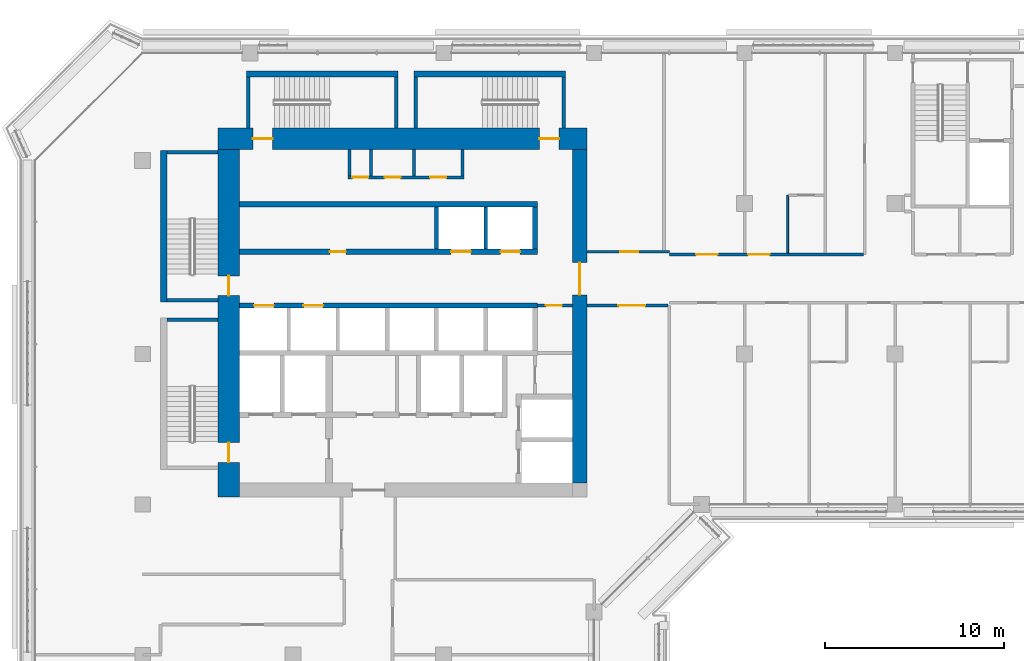
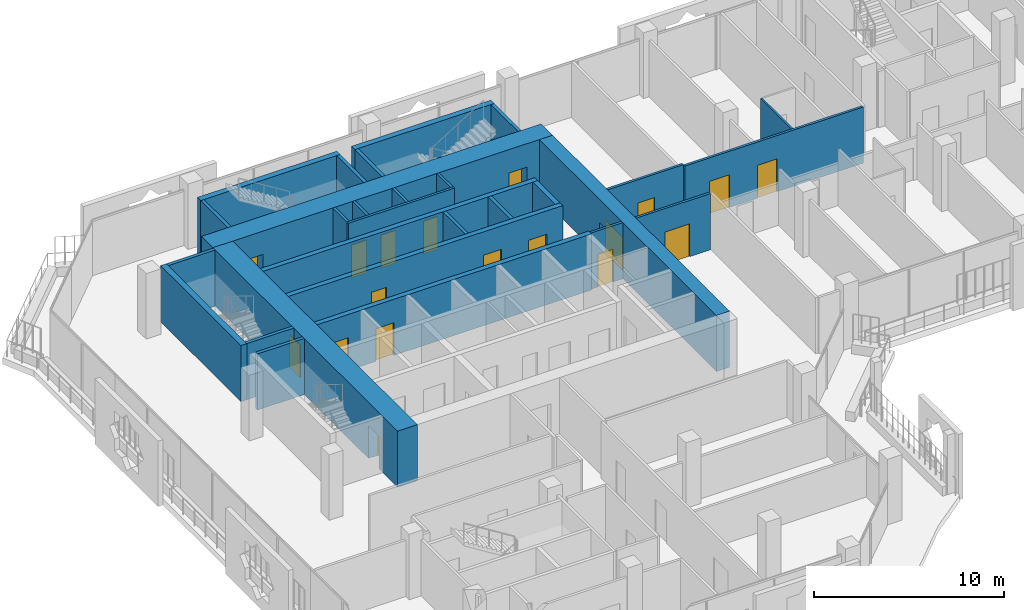
# One storey, part 11 of 21: 29 walls, 18 doors, 18 openings.
"""IFC4 building model written with IfcOpenShell, lengths in metres."""

from ifc_helpers import new_model, si_unit, direction, frame, frame_2d, origin, place, context, subcontext, project, spatial, rectangle, extrude, material, layer, layer_set, type_object, element, fill, save


model = new_model("IFC4")

# Units and contexts
model_context = context("Model", 3, precision=1e-05, world=origin(), true_north=direction((0.0, 1.0)))
body_context = subcontext(model_context, "Body", "Model", "MODEL_VIEW")
ifc_project = project(units=[si_unit("LENGTHUNIT", "METRE"), si_unit("AREAUNIT", "SQUARE_METRE"), si_unit("VOLUMEUNIT", "CUBIC_METRE"), si_unit("PLANEANGLEUNIT", "RADIAN"), si_unit("MASSUNIT", "GRAM", prefix="KILO")], contexts=[model_context])

# Site, building, storey
site_placement = place(None, origin())
site = spatial("IfcSite", under=ifc_project, at=site_placement, CompositionType="ELEMENT")
building_placement = place(site_placement, origin())
building = spatial("IfcBuilding", under=site, at=building_placement, Name="Kawkab Arch Medical Tower", CompositionType="ELEMENT")
storey_placement = place(building_placement, frame((0.0, 0.0, 264.199951171875)))
storey = spatial("IfcBuildingStorey", under=building, at=storey_placement, Name="L61", CompositionType="ELEMENT", Elevation=264.199951171875)

# Wall, openings, doors
ifc_material_1 = material(Name="Concrete C50/60", Category="concrete")
ifc_layer_1 = layer(ifc_material_1, 1.199951171875)
ifc_layer_set_1 = layer_set([ifc_layer_1], Name="Concrete C50/60")
wall_type_1 = type_object("IfcWallType", Name="Core ring wall 1200 C50/60", PredefinedType="SHEAR", material=ifc_layer_set_1)
wall_1_placement = place(storey_placement, frame((4.199951171875, -4.800048828125, 0.0), z_axis=(0.0, 0.0, 1.0), x_axis=(1.0, 0.0, 0.0)))
wall_1 = element("IfcWall", 1, at=wall_1_placement, inside=storey, type_object=wall_type_1, Name="L61 core wall", PredefinedType="SHEAR", context=body_context, shape_type="SweptSolid", body=[
    extrude(rectangle(XDim=20.60009765625, YDim=1.199951171875, at=frame_2d((10.300048828125, 0.0))), origin(), (0.0, 0.0, 1.0), 3.60009765625),
])
opening_1_placement = place(wall_1_placement, frame((1.949951171875, 0.0, 0.0)))
opening_1 = element("IfcOpeningElement", 2, at=opening_1_placement, cuts=wall_1, Name="Opening SD", PredefinedType="OPENING", context=body_context, shape_type="SweptSolid", body=[
    extrude(rectangle(XDim=1.10009765625, YDim=2.10009765625, at=frame_2d((0.550048828125, 1.050048828125))), frame((0.0, 0.60986328125, 0.0), z_axis=(0.0, -1.0, 0.0), x_axis=(1.0, 0.0, 0.0)), (0.0, 0.0, 1.0), 1.219970703125),
])
opening_2_placement = place(wall_1_placement, frame((17.949951171875, 0.0, 0.0)))
opening_2 = element("IfcOpeningElement", 3, at=opening_2_placement, cuts=wall_1, Name="Opening SD", PredefinedType="OPENING", context=body_context, shape_type="SweptSolid", body=[
    extrude(rectangle(XDim=1.10009765625, YDim=2.10009765625, at=frame_2d((0.550048828125, 1.050048828125))), frame((0.0, 0.60986328125, 0.0), z_axis=(0.0, -1.0, 0.0), x_axis=(1.0, 0.0, 0.0)), (0.0, 0.0, 1.0), 1.219970703125),
])
ifc_material_2 = material(Name="Hollow metal fire door leaf")
door_type_1 = type_object("IfcDoorType", Name="Exit stair door 1100", OperationType="SINGLE_SWING_LEFT", PredefinedType="DOOR", material=ifc_material_2)
door_1_placement = place(opening_1_placement, origin())
door_1 = element("IfcDoor", 4, at=door_1_placement, inside=storey, type_object=door_type_1, Name="L61 Exit stair ST3 door", OperationType="SINGLE_SWING_LEFT", OverallHeight=2.10009765625, OverallWidth=1.10009765625, PredefinedType="DOOR", context=body_context, shape_type="SweptSolid", body=[
    extrude(rectangle(XDim=1.10009765625, YDim=2.10009765625, at=frame_2d((0.550048828125, 1.050048828125))), frame((0.0, 0.02490234375, 0.0), z_axis=(0.0, -1.0, 0.0), x_axis=(1.0, 0.0, 0.0)), (0.0, 0.0, 1.0), 0.050048828125),
])
fill(opening_1, door_1)
door_2_placement = place(opening_2_placement, origin())
door_2 = element("IfcDoor", 5, at=door_2_placement, inside=storey, type_object=door_type_1, Name="L61 Exit stair ST4 door", OperationType="SINGLE_SWING_LEFT", OverallHeight=2.10009765625, OverallWidth=1.10009765625, PredefinedType="DOOR", context=body_context, shape_type="SweptSolid", body=[
    extrude(rectangle(XDim=1.10009765625, YDim=2.10009765625, at=frame_2d((0.550048828125, 1.050048828125))), frame((0.0, 0.02490234375, 0.0), z_axis=(0.0, -1.0, 0.0), x_axis=(1.0, 0.0, 0.0)), (0.0, 0.0, 1.0), 0.050048828125),
])
fill(opening_2, door_2)

wall_2_placement = place(storey_placement, frame((4.800048828125, -24.800048828125, 0.0), z_axis=(0.0, 0.0, 1.0), x_axis=(0.0, 1.0, 0.0)))
wall_2 = element("IfcWall", 6, at=wall_2_placement, inside=storey, type_object=wall_type_1, Name="L61 core wall", PredefinedType="SHEAR", context=body_context, shape_type="SweptSolid", body=[
    extrude(rectangle(XDim=19.400146484375, YDim=1.199951171875, at=frame_2d((9.7001953125, 0.0))), origin(), (0.0, 0.0, 1.0), 3.60009765625),
])
opening_3_placement = place(wall_2_placement, frame((11.25, 0.0, 0.0)))
opening_3 = element("IfcOpeningElement", 7, at=opening_3_placement, cuts=wall_2, Name="Opening SD", PredefinedType="OPENING", context=body_context, shape_type="SweptSolid", body=[
    extrude(rectangle(XDim=1.10009765625, YDim=2.10009765625, at=frame_2d((0.550048828125, 1.050048828125))), frame((0.0, 0.60986328125, 0.0), z_axis=(0.0, -1.0, 0.0), x_axis=(1.0, 0.0, 0.0)), (0.0, 0.0, 1.0), 1.219970703125),
])
opening_4_placement = place(wall_2_placement, frame((1.949951171875, 0.0, 0.0)))
opening_4 = element("IfcOpeningElement", 8, at=opening_4_placement, cuts=wall_2, Name="Opening SD", PredefinedType="OPENING", context=body_context, shape_type="SweptSolid", body=[
    extrude(rectangle(XDim=1.10009765625, YDim=2.10009765625, at=frame_2d((0.550048828125, 1.050048828125))), frame((0.0, 0.60986328125, 0.0), z_axis=(0.0, -1.0, 0.0), x_axis=(1.0, 0.0, 0.0)), (0.0, 0.0, 1.0), 1.219970703125),
])
door_3_placement = place(opening_3_placement, origin())
door_3 = element("IfcDoor", 9, at=door_3_placement, inside=storey, type_object=door_type_1, Name="L61 Exit stair ST1 door", OperationType="SINGLE_SWING_LEFT", OverallHeight=2.10009765625, OverallWidth=1.10009765625, PredefinedType="DOOR", context=body_context, shape_type="SweptSolid", body=[
    extrude(rectangle(XDim=1.10009765625, YDim=2.10009765625, at=frame_2d((0.550048828125, 1.050048828125))), frame((0.0, 0.02490234375, 0.0), z_axis=(0.0, -1.0, 0.0), x_axis=(1.0, 0.0, 0.0)), (0.0, 0.0, 1.0), 0.050048828125),
])
fill(opening_3, door_3)
door_4_placement = place(opening_4_placement, origin())
door_4 = element("IfcDoor", 10, at=door_4_placement, inside=storey, type_object=door_type_1, Name="L61 Exit stair ST2 door", OperationType="SINGLE_SWING_LEFT", OverallHeight=2.10009765625, OverallWidth=1.10009765625, PredefinedType="DOOR", context=body_context, shape_type="SweptSolid", body=[
    extrude(rectangle(XDim=1.10009765625, YDim=2.10009765625, at=frame_2d((0.550048828125, 1.050048828125))), frame((0.0, 0.02490234375, 0.0), z_axis=(0.0, -1.0, 0.0), x_axis=(1.0, 0.0, 0.0)), (0.0, 0.0, 1.0), 0.050048828125),
])
fill(opening_4, door_4)

# Wall, opening, door
ifc_material_3 = material(Name="Concrete C50/60", Category="concrete")
ifc_layer_2 = layer(ifc_material_3, 0.800048828125)
ifc_layer_set_2 = layer_set([ifc_layer_2], Name="Concrete C50/60")
wall_type_2 = type_object("IfcWallType", Name="Core ring wall 800 C50/60", PredefinedType="SHEAR", material=ifc_layer_set_2)
wall_3_placement = place(storey_placement, frame((24.39990234375, -24.0, 0.0), z_axis=(0.0, 0.0, 1.0), x_axis=(0.0, 1.0, 0.0)))
wall_3 = element("IfcWall", 11, at=wall_3_placement, inside=storey, type_object=wall_type_2, Name="L61 core wall", PredefinedType="SHEAR", context=body_context, shape_type="SweptSolid", body=[
    extrude(rectangle(XDim=18.60009765625, YDim=0.800048828125, at=frame_2d((9.300048828125, 0.0))), origin(), (0.0, 0.0, 1.0), 3.60009765625),
])
opening_5_placement = place(wall_3_placement, frame((10.5, 0.0, 0.0)))
opening_5 = element("IfcOpeningElement", 12, at=opening_5_placement, cuts=wall_3, Name="Opening PD", PredefinedType="OPENING", context=body_context, shape_type="SweptSolid", body=[
    extrude(rectangle(XDim=1.800048828125, YDim=2.10009765625, at=frame_2d((0.89990234375, 1.050048828125))), frame((0.0, 0.409912109375, 0.0), z_axis=(0.0, -1.0, 0.0), x_axis=(1.0, 0.0, 0.0)), (0.0, 0.0, 1.0), 0.820068359375),
])
ifc_material_4 = material(Name="Hollow metal fire door leaf")
door_type_2 = type_object("IfcDoorType", Name="Core entrance doors 1800", OperationType="DOUBLE_DOOR_SINGLE_SWING", PredefinedType="DOOR", material=ifc_material_4)
door_5_placement = place(opening_5_placement, origin())
door_5 = element("IfcDoor", 13, at=door_5_placement, inside=storey, type_object=door_type_2, Name="L61 East entrance doors", OperationType="DOUBLE_DOOR_SINGLE_SWING", OverallHeight=2.10009765625, OverallWidth=1.800048828125, PredefinedType="DOOR", context=body_context, shape_type="SweptSolid", body=[
    extrude(rectangle(XDim=1.800048828125, YDim=2.10009765625, at=frame_2d((0.89990234375, 1.050048828125))), frame((0.0, 0.02490234375, 0.0), z_axis=(0.0, -1.0, 0.0), x_axis=(1.0, 0.0, 0.0)), (0.0, 0.0, 1.0), 0.050048828125),
])
fill(opening_5, door_5)

ifc_material_5 = material(Name="Gypsum board on steel studs", Category="steel")
ifc_layer_3 = layer(ifc_material_5, 0.14990234375)
ifc_layer_set_3 = layer_set([ifc_layer_3], Name="Gypsum board on steel studs")
wall_type_3 = type_object("IfcWallType", Name="Core room partition 150", PredefinedType="PARTITIONING", material=ifc_layer_set_3)
wall_4_placement = place(storey_placement, frame((22.050048828125, -14.10009765625, 0.0), z_axis=(0.0, 0.0, 1.0), x_axis=(1.0, 0.0, 0.0)))
wall_4 = element("IfcWall", 14, at=wall_4_placement, inside=storey, type_object=wall_type_3, Name="L61 core room partition", PredefinedType="PARTITIONING", context=body_context, shape_type="SweptSolid", body=[
    extrude(rectangle(XDim=1.949951171875, YDim=0.14990234375, at=frame_2d((0.97509765625, 0.0))), origin(), (0.0, 0.0, 1.0), 3.60009765625),
])
opening_6_placement = place(wall_4_placement, frame((0.449951171875, 0.0, 0.0)))
opening_6 = element("IfcOpeningElement", 15, at=opening_6_placement, cuts=wall_4, Name="Opening RD", PredefinedType="OPENING", context=body_context, shape_type="SweptSolid", body=[
    extrude(rectangle(XDim=0.89990234375, YDim=2.10009765625, at=frame_2d((0.449951171875, 1.050048828125))), frame((0.0, 0.0849609375, 0.0), z_axis=(0.0, -1.0, 0.0), x_axis=(1.0, 0.0, 0.0)), (0.0, 0.0, 1.0), 0.169921875),
])
ifc_material_6 = material(Name="Hollow metal fire door leaf")
door_type_3 = type_object("IfcDoorType", Name="Core room door 900", OperationType="SINGLE_SWING_LEFT", PredefinedType="DOOR", material=ifc_material_6)
door_6_placement = place(opening_6_placement, origin())
door_6 = element("IfcDoor", 16, at=door_6_placement, inside=storey, type_object=door_type_3, Name="L61 Comms room door", OperationType="SINGLE_SWING_LEFT", OverallHeight=2.10009765625, OverallWidth=0.89990234375, PredefinedType="DOOR", context=body_context, shape_type="SweptSolid", body=[
    extrude(rectangle(XDim=0.89990234375, YDim=2.10009765625, at=frame_2d((0.449951171875, 1.050048828125))), frame((0.0, 0.02490234375, 0.0), z_axis=(0.0, -1.0, 0.0), x_axis=(1.0, 0.0, 0.0)), (0.0, 0.0, 1.0), 0.050048828125),
])
fill(opening_6, door_6)

# Wall, openings, doors
wall_5_placement = place(storey_placement, frame((11.47509765625, -6.949951171875, 0.0), z_axis=(0.0, 0.0, 1.0), x_axis=(1.0, 0.0, 0.0)))
wall_5 = element("IfcWall", 17, at=wall_5_placement, inside=storey, type_object=wall_type_3, Name="L61 core room partition", PredefinedType="PARTITIONING", context=body_context, shape_type="SweptSolid", body=[
    extrude(rectangle(XDim=6.449951171875, YDim=0.14990234375, at=frame_2d((3.22509765625, 0.0))), origin(), (0.0, 0.0, 1.0), 3.60009765625),
])
opening_7_placement = place(wall_5_placement, frame((0.22509765625, 0.0, 0.0)))
opening_7 = element("IfcOpeningElement", 18, at=opening_7_placement, cuts=wall_5, Name="Opening RD", PredefinedType="OPENING", context=body_context, shape_type="SweptSolid", body=[
    extrude(rectangle(XDim=0.89990234375, YDim=2.10009765625, at=frame_2d((0.449951171875, 1.050048828125))), frame((0.0, 0.0849609375, 0.0), z_axis=(0.0, -1.0, 0.0), x_axis=(1.0, 0.0, 0.0)), (0.0, 0.0, 1.0), 0.169921875),
])
opening_8_placement = place(wall_5_placement, frame((2.02490234375, 0.0, 0.0)))
opening_8 = element("IfcOpeningElement", 19, at=opening_8_placement, cuts=wall_5, Name="Opening RD", PredefinedType="OPENING", context=body_context, shape_type="SweptSolid", body=[
    extrude(rectangle(XDim=0.89990234375, YDim=2.10009765625, at=frame_2d((0.449951171875, 1.050048828125))), frame((0.0, 0.0849609375, 0.0), z_axis=(0.0, -1.0, 0.0), x_axis=(1.0, 0.0, 0.0)), (0.0, 0.0, 1.0), 0.169921875),
])
opening_9_placement = place(wall_5_placement, frame((4.574951171875, 0.0, 0.0)))
opening_9 = element("IfcOpeningElement", 20, at=opening_9_placement, cuts=wall_5, Name="Opening RD", PredefinedType="OPENING", context=body_context, shape_type="SweptSolid", body=[
    extrude(rectangle(XDim=0.89990234375, YDim=2.10009765625, at=frame_2d((0.449951171875, 1.050048828125))), frame((0.0, 0.0849609375, 0.0), z_axis=(0.0, -1.0, 0.0), x_axis=(1.0, 0.0, 0.0)), (0.0, 0.0, 1.0), 0.169921875),
])
door_7_placement = place(opening_7_placement, origin())
door_7 = element("IfcDoor", 21, at=door_7_placement, inside=storey, type_object=door_type_3, Name="L61 Electrical riser room door", OperationType="SINGLE_SWING_LEFT", OverallHeight=2.10009765625, OverallWidth=0.89990234375, PredefinedType="DOOR", context=body_context, shape_type="SweptSolid", body=[
    extrude(rectangle(XDim=0.89990234375, YDim=2.10009765625, at=frame_2d((0.449951171875, 1.050048828125))), frame((0.0, 0.02490234375, 0.0), z_axis=(0.0, -1.0, 0.0), x_axis=(1.0, 0.0, 0.0)), (0.0, 0.0, 1.0), 0.050048828125),
])
fill(opening_7, door_7)
door_8_placement = place(opening_8_placement, origin())
door_8 = element("IfcDoor", 22, at=door_8_placement, inside=storey, type_object=door_type_3, Name="L61 Linen store door", OperationType="SINGLE_SWING_LEFT", OverallHeight=2.10009765625, OverallWidth=0.89990234375, PredefinedType="DOOR", context=body_context, shape_type="SweptSolid", body=[
    extrude(rectangle(XDim=0.89990234375, YDim=2.10009765625, at=frame_2d((0.449951171875, 1.050048828125))), frame((0.0, 0.02490234375, 0.0), z_axis=(0.0, -1.0, 0.0), x_axis=(1.0, 0.0, 0.0)), (0.0, 0.0, 1.0), 0.050048828125),
])
fill(opening_8, door_8)
door_9_placement = place(opening_9_placement, origin())
door_9 = element("IfcDoor", 23, at=door_9_placement, inside=storey, type_object=door_type_3, Name="L61 Clean utility room door", OperationType="SINGLE_SWING_LEFT", OverallHeight=2.10009765625, OverallWidth=0.89990234375, PredefinedType="DOOR", context=body_context, shape_type="SweptSolid", body=[
    extrude(rectangle(XDim=0.89990234375, YDim=2.10009765625, at=frame_2d((0.449951171875, 1.050048828125))), frame((0.0, 0.02490234375, 0.0), z_axis=(0.0, -1.0, 0.0), x_axis=(1.0, 0.0, 0.0)), (0.0, 0.0, 1.0), 0.050048828125),
])
fill(opening_9, door_9)

# Walls
for number, where, z_axis, x_axis, name in (
    (24, (11.550048828125, -6.875, 0.0), (0.0, 0.0, 1.0), (0.0, 1.0, 0.0), "L61 core room partition"),
    (25, (12.75, -6.875, 0.0), (0.0, 0.0, 1.0), (0.0, 1.0, 0.0), "L61 core room partition"),
    (26, (15.14990234375, -6.875, 0.0), (0.0, 0.0, 1.0), (0.0, 1.0, 0.0), "L61 core room partition"),
    (27, (17.85009765625, -6.875, 0.0), (0.0, 0.0, 1.0), (0.0, 1.0, 0.0), "L61 core room partition"),
):
    element("IfcWall", number, at=place(storey_placement, frame(where, z_axis=z_axis, x_axis=x_axis)), inside=storey, type_object=wall_type_3, Name=name, PredefinedType="PARTITIONING", context=body_context, shape_type="SweptSolid", body=[
        extrude(rectangle(XDim=1.47509765625, YDim=0.14990234375, at=frame_2d((0.737548828125, 0.0))), origin(), (0.0, 0.0, 1.0), 3.60009765625),
    ])
ifc_material_7 = material(Name="Concrete C60/75", Category="concrete")
ifc_layer_4 = layer(ifc_material_7, 0.300048828125)
ifc_layer_set_4 = layer_set([ifc_layer_4], Name="Concrete C60/75")
wall_type_4 = type_object("IfcWallType", Name="Core shear wall 300 C60/75", PredefinedType="SHEAR", material=ifc_layer_set_4)
wall_6_placement = place(storey_placement, frame((5.39990234375, -8.449951171875, 0.0), z_axis=(0.0, 0.0, 1.0), x_axis=(1.0, 0.0, 0.0)))
element("IfcWall", 28, at=wall_6_placement, inside=storey, type_object=wall_type_4, Name="L61 core shear wall", PredefinedType="SHEAR", context=body_context, shape_type="SweptSolid", body=[
    extrude(rectangle(XDim=16.650146484375, YDim=0.300048828125, at=frame_2d((8.3251953125, 0.0))), origin(), (0.0, 0.0, 1.0), 3.60009765625),
])

# Wall, openings, doors
wall_7_placement = place(storey_placement, frame((5.39990234375, -11.10009765625, 0.0), z_axis=(0.0, 0.0, 1.0), x_axis=(1.0, 0.0, 0.0)))
wall_7 = element("IfcWall", 29, at=wall_7_placement, inside=storey, type_object=wall_type_4, Name="L61 core shear wall", PredefinedType="SHEAR", context=body_context, shape_type="SweptSolid", body=[
    extrude(rectangle(XDim=16.650146484375, YDim=0.300048828125, at=frame_2d((8.3251953125, 0.0))), origin(), (0.0, 0.0, 1.0), 3.60009765625),
])
opening_10_placement = place(wall_7_placement, frame((11.824951171875, 0.0, 0.0)))
opening_10 = element("IfcOpeningElement", 30, at=opening_10_placement, cuts=wall_7, Name="Opening LD1", PredefinedType="OPENING", context=body_context, shape_type="SweptSolid", body=[
    extrude(rectangle(XDim=1.10009765625, YDim=2.10009765625, at=frame_2d((0.550048828125, 1.050048828125))), frame((0.0, 0.159912109375, 0.0), z_axis=(0.0, -1.0, 0.0), x_axis=(1.0, 0.0, 0.0)), (0.0, 0.0, 1.0), 0.320068359375),
])
opening_11_placement = place(wall_7_placement, frame((14.574951171875, 0.0, 0.0)))
opening_11 = element("IfcOpeningElement", 31, at=opening_11_placement, cuts=wall_7, Name="Opening LD1", PredefinedType="OPENING", context=body_context, shape_type="SweptSolid", body=[
    extrude(rectangle(XDim=1.10009765625, YDim=2.10009765625, at=frame_2d((0.550048828125, 1.050048828125))), frame((0.0, 0.159912109375, 0.0), z_axis=(0.0, -1.0, 0.0), x_axis=(1.0, 0.0, 0.0)), (0.0, 0.0, 1.0), 0.320068359375),
])
opening_12_placement = place(wall_7_placement, frame((5.050048828125, 0.0, 0.0)))
opening_12 = element("IfcOpeningElement", 32, at=opening_12_placement, cuts=wall_7, Name="Opening RD", PredefinedType="OPENING", context=body_context, shape_type="SweptSolid", body=[
    extrude(rectangle(XDim=0.89990234375, YDim=2.10009765625, at=frame_2d((0.449951171875, 1.050048828125))), frame((0.0, 0.159912109375, 0.0), z_axis=(0.0, -1.0, 0.0), x_axis=(1.0, 0.0, 0.0)), (0.0, 0.0, 1.0), 0.320068359375),
])
door_10_placement = place(opening_12_placement, origin())
door_10 = element("IfcDoor", 33, at=door_10_placement, inside=storey, type_object=door_type_3, Name="L61 Data room door", OperationType="SINGLE_SWING_LEFT", OverallHeight=2.10009765625, OverallWidth=0.89990234375, PredefinedType="DOOR", context=body_context, shape_type="SweptSolid", body=[
    extrude(rectangle(XDim=0.89990234375, YDim=2.10009765625, at=frame_2d((0.449951171875, 1.050048828125))), frame((0.0, 0.02490234375, 0.0), z_axis=(0.0, -1.0, 0.0), x_axis=(1.0, 0.0, 0.0)), (0.0, 0.0, 1.0), 0.050048828125),
])
fill(opening_12, door_10)
ifc_material_8 = material(Name="Stainless steel lift door leaf", Category="steel")
door_type_4 = type_object("IfcDoorType", Name="Lift landing door 1100", OperationType="DOUBLE_DOOR_SLIDING", PredefinedType="DOOR", material=ifc_material_8)
door_11_placement = place(opening_10_placement, origin())
door_11 = element("IfcDoor", 34, at=door_11_placement, inside=storey, type_object=door_type_4, Name="L61 Lift landing door MP1", OperationType="DOUBLE_DOOR_SLIDING", OverallHeight=2.10009765625, OverallWidth=1.10009765625, PredefinedType="DOOR", context=body_context, shape_type="SweptSolid", body=[
    extrude(rectangle(XDim=1.10009765625, YDim=2.10009765625, at=frame_2d((0.550048828125, 1.050048828125))), frame((0.0, 0.02490234375, 0.0), z_axis=(0.0, -1.0, 0.0), x_axis=(1.0, 0.0, 0.0)), (0.0, 0.0, 1.0), 0.050048828125),
])
fill(opening_10, door_11)
door_12_placement = place(opening_11_placement, origin())
door_12 = element("IfcDoor", 35, at=door_12_placement, inside=storey, type_object=door_type_4, Name="L61 Lift landing door MP2", OperationType="DOUBLE_DOOR_SLIDING", OverallHeight=2.10009765625, OverallWidth=1.10009765625, PredefinedType="DOOR", context=body_context, shape_type="SweptSolid", body=[
    extrude(rectangle(XDim=1.10009765625, YDim=2.10009765625, at=frame_2d((0.550048828125, 1.050048828125))), frame((0.0, 0.02490234375, 0.0), z_axis=(0.0, -1.0, 0.0), x_axis=(1.0, 0.0, 0.0)), (0.0, 0.0, 1.0), 0.050048828125),
])
fill(opening_11, door_12)

wall_8_placement = place(storey_placement, frame((5.39990234375, -14.10009765625, 0.0), z_axis=(0.0, 0.0, 1.0), x_axis=(1.0, 0.0, 0.0)))
wall_8 = element("IfcWall", 36, at=wall_8_placement, inside=storey, type_object=wall_type_4, Name="L61 core shear wall", PredefinedType="SHEAR", context=body_context, shape_type="SweptSolid", body=[
    extrude(rectangle(XDim=16.650146484375, YDim=0.300048828125, at=frame_2d((8.3251953125, 0.0))), origin(), (0.0, 0.0, 1.0), 3.60009765625),
])
opening_13_placement = place(wall_8_placement, frame((0.824951171875, 0.0, 0.0)))
opening_13 = element("IfcOpeningElement", 37, at=opening_13_placement, cuts=wall_8, Name="Opening LD1", PredefinedType="OPENING", context=body_context, shape_type="SweptSolid", body=[
    extrude(rectangle(XDim=1.10009765625, YDim=2.10009765625, at=frame_2d((0.550048828125, 1.050048828125))), frame((0.0, 0.159912109375, 0.0), z_axis=(0.0, -1.0, 0.0), x_axis=(1.0, 0.0, 0.0)), (0.0, 0.0, 1.0), 0.320068359375),
])
opening_14_placement = place(wall_8_placement, frame((3.574951171875, 0.0, 0.0)))
opening_14 = element("IfcOpeningElement", 38, at=opening_14_placement, cuts=wall_8, Name="Opening LD1", PredefinedType="OPENING", context=body_context, shape_type="SweptSolid", body=[
    extrude(rectangle(XDim=1.10009765625, YDim=2.10009765625, at=frame_2d((0.550048828125, 1.050048828125))), frame((0.0, 0.159912109375, 0.0), z_axis=(0.0, -1.0, 0.0), x_axis=(1.0, 0.0, 0.0)), (0.0, 0.0, 1.0), 0.320068359375),
])
door_13_placement = place(opening_13_placement, origin())
door_13 = element("IfcDoor", 39, at=door_13_placement, inside=storey, type_object=door_type_4, Name="L61 Lift landing door MP3", OperationType="DOUBLE_DOOR_SLIDING", OverallHeight=2.10009765625, OverallWidth=1.10009765625, PredefinedType="DOOR", context=body_context, shape_type="SweptSolid", body=[
    extrude(rectangle(XDim=1.10009765625, YDim=2.10009765625, at=frame_2d((0.550048828125, 1.050048828125))), frame((0.0, 0.02490234375, 0.0), z_axis=(0.0, -1.0, 0.0), x_axis=(1.0, 0.0, 0.0)), (0.0, 0.0, 1.0), 0.050048828125),
])
fill(opening_13, door_13)
door_14_placement = place(opening_14_placement, origin())
door_14 = element("IfcDoor", 40, at=door_14_placement, inside=storey, type_object=door_type_4, Name="L61 Lift landing door MP4", OperationType="DOUBLE_DOOR_SLIDING", OverallHeight=2.10009765625, OverallWidth=1.10009765625, PredefinedType="DOOR", context=body_context, shape_type="SweptSolid", body=[
    extrude(rectangle(XDim=1.10009765625, YDim=2.10009765625, at=frame_2d((0.550048828125, 1.050048828125))), frame((0.0, 0.02490234375, 0.0), z_axis=(0.0, -1.0, 0.0), x_axis=(1.0, 0.0, 0.0)), (0.0, 0.0, 1.0), 0.050048828125),
])
fill(opening_14, door_14)

# Walls
wall_9_placement = place(storey_placement, frame((21.89990234375, -10.949951171875, 0.0), z_axis=(0.0, 0.0, 1.0), x_axis=(0.0, 1.0, 0.0)))
element("IfcWall", 41, at=wall_9_placement, inside=storey, type_object=wall_type_4, Name="L61 core shear wall", PredefinedType="SHEAR", context=body_context, shape_type="SweptSolid", body=[
    extrude(rectangle(XDim=2.349853515625, YDim=0.300048828125, at=frame_2d((1.1748046875, 0.0))), origin(), (0.0, 0.0, 1.0), 3.60009765625),
])
ifc_material_9 = material(Name="Dense concrete blockwork", Category="masonry")
ifc_layer_5 = layer(ifc_material_9, 0.199951171875)
ifc_layer_set_5 = layer_set([ifc_layer_5], Name="Dense concrete blockwork")
wall_type_5 = type_object("IfcWallType", Name="Lift shaft partition 200", PredefinedType="PARTITIONING", material=ifc_layer_set_5)
for number, where, z_axis, x_axis, name in (
    (42, (16.39990234375, -10.949951171875, 0.0), (0.0, 0.0, 1.0), (0.0, 1.0, 0.0), "L61 lift shaft partition"),
    (43, (19.14990234375, -10.949951171875, 0.0), (0.0, 0.0, 1.0), (0.0, 1.0, 0.0), "L61 lift shaft partition"),
):
    element("IfcWall", number, at=place(storey_placement, frame(where, z_axis=z_axis, x_axis=x_axis)), inside=storey, type_object=wall_type_5, Name=name, PredefinedType="PARTITIONING", context=body_context, shape_type="SweptSolid", body=[
        extrude(rectangle(XDim=2.349853515625, YDim=0.199951171875, at=frame_2d((1.1748046875, 0.0))), origin(), (0.0, 0.0, 1.0), 3.60009765625),
    ])
ifc_material_10 = material(Name="Gypsum board partition on steel studs", Category="steel")
ifc_layer_6 = layer(ifc_material_10, 0.10009765625)
ifc_layer_set_6 = layer_set([ifc_layer_6], Name="Gypsum board partition on steel studs")
wall_type_6 = type_object("IfcWallType", Name="Partition 100", PredefinedType="PARTITIONING", material=ifc_layer_set_6)
wall_10_placement = place(storey_placement, frame((36.0, -11.175048828125, 0.0), z_axis=(0.0, 0.0, 1.0), x_axis=(0.0, 1.0, 0.0)))
element("IfcWall", 44, at=wall_10_placement, inside=storey, type_object=wall_type_6, Name="Partition 100 w005", PredefinedType="PARTITIONING", context=body_context, shape_type="SweptSolid", body=[
    extrude(rectangle(XDim=3.22509765625, YDim=0.10009765625, at=frame_2d((1.612548828125, 0.0))), origin(), (0.0, 0.0, 1.0), 3.60009765625),
])

# Wall, opening, door
ifc_material_11 = material(Name="Gypsum board partition on steel studs, mineral wool", Category="steel")
ifc_layer_7 = layer(ifc_material_11, 0.14990234375)
ifc_layer_set_7 = layer_set([ifc_layer_7], Name="Gypsum board partition on steel studs, mineral wool")
wall_type_7 = type_object("IfcWallType", Name="Partition 150", PredefinedType="PARTITIONING", material=ifc_layer_set_7)
wall_11_placement = place(storey_placement, frame((24.800048828125, -14.10009765625, 0.0), z_axis=(0.0, 0.0, 1.0), x_axis=(1.0, 0.0, 0.0)))
wall_11 = element("IfcWall", 45, at=wall_11_placement, inside=storey, type_object=wall_type_7, Name="Partition 150 w020", PredefinedType="PARTITIONING", context=body_context, shape_type="SweptSolid", body=[
    extrude(rectangle(XDim=4.52490234375, YDim=0.14990234375, at=frame_2d((2.262451171875, 0.0))), origin(), (0.0, 0.0, 1.0), 3.60009765625),
])
opening_15_placement = place(wall_11_placement, frame((1.75, 0.0, 0.0)))
opening_15 = element("IfcOpeningElement", 46, at=opening_15_placement, cuts=wall_11, Name="Opening W56-001", PredefinedType="OPENING", context=body_context, shape_type="SweptSolid", body=[
    extrude(rectangle(XDim=1.5, YDim=2.10009765625, at=frame_2d((0.75, 1.050048828125))), frame((0.0, 0.0849609375, 0.0), z_axis=(0.0, -1.0, 0.0), x_axis=(1.0, 0.0, 0.0)), (0.0, 0.0, 1.0), 0.169921875),
])
ifc_material_12 = material(Name="Hollow metal door leaf")
door_type_5 = type_object("IfcDoorType", Name="Double door 1500x2100 FD30S", OperationType="NOTDEFINED", PredefinedType="DOOR", material=ifc_material_12)
door_15_placement = place(opening_15_placement, origin())
door_15 = element("IfcDoor", 47, at=door_15_placement, inside=storey, type_object=door_type_5, Name="Door W56-001", OperationType="DOUBLE_DOOR_SINGLE_SWING", OverallHeight=2.10009765625, OverallWidth=1.5, PredefinedType="DOOR", context=body_context, shape_type="SweptSolid", body=[
    extrude(rectangle(XDim=1.5, YDim=2.10009765625, at=frame_2d((0.75, 1.050048828125))), frame((0.0, 0.02490234375, 0.0), z_axis=(0.0, -1.0, 0.0), x_axis=(1.0, 0.0, 0.0)), (0.0, 0.0, 1.0), 0.050048828125),
])
fill(opening_15, door_15)

# Wall, openings, doors
wall_12_placement = place(storey_placement, frame((29.39990234375, -11.25, 0.0), z_axis=(0.0, 0.0, 1.0), x_axis=(1.0, 0.0, 0.0)))
wall_12 = element("IfcWall", 48, at=wall_12_placement, inside=storey, type_object=wall_type_7, Name="Partition 150 w022", PredefinedType="PARTITIONING", context=body_context, shape_type="SweptSolid", body=[
    extrude(rectangle(XDim=10.83203125, YDim=0.14990234375, at=frame_2d((5.416015625, 0.0))), origin(), (0.0, 0.0, 1.0), 3.60009765625),
])
opening_16_placement = place(wall_12_placement, frame((1.5, 0.0, 0.0)))
opening_16 = element("IfcOpeningElement", 49, at=opening_16_placement, cuts=wall_12, Name="Opening W56-022", PredefinedType="OPENING", context=body_context, shape_type="SweptSolid", body=[
    extrude(rectangle(XDim=1.199951171875, YDim=2.10009765625, at=frame_2d((0.60009765625, 1.050048828125))), frame((0.0, 0.0849609375, 0.0), z_axis=(0.0, -1.0, 0.0), x_axis=(1.0, 0.0, 0.0)), (0.0, 0.0, 1.0), 0.169921875),
])
opening_17_placement = place(wall_12_placement, frame((4.39990234375, 0.0, 0.0)))
opening_17 = element("IfcOpeningElement", 50, at=opening_17_placement, cuts=wall_12, Name="Opening W56-023", PredefinedType="OPENING", context=body_context, shape_type="SweptSolid", body=[
    extrude(rectangle(XDim=1.199951171875, YDim=2.10009765625, at=frame_2d((0.60009765625, 1.050048828125))), frame((0.0, 0.0849609375, 0.0), z_axis=(0.0, -1.0, 0.0), x_axis=(1.0, 0.0, 0.0)), (0.0, 0.0, 1.0), 0.169921875),
])
ifc_material_13 = material(Name="Hollow metal door leaf")
door_type_6 = type_object("IfcDoorType", Name="Single door 1200x2100 FD30S", OperationType="NOTDEFINED", PredefinedType="DOOR", material=ifc_material_13)
door_16_placement = place(opening_16_placement, origin())
door_16 = element("IfcDoor", 51, at=door_16_placement, inside=storey, type_object=door_type_6, Name="Door W56-022", OperationType="SINGLE_SWING_LEFT", OverallHeight=2.10009765625, OverallWidth=1.199951171875, PredefinedType="DOOR", context=body_context, shape_type="SweptSolid", body=[
    extrude(rectangle(XDim=1.199951171875, YDim=2.10009765625, at=frame_2d((0.60009765625, 1.050048828125))), frame((0.0, 0.02490234375, 0.0), z_axis=(0.0, -1.0, 0.0), x_axis=(1.0, 0.0, 0.0)), (0.0, 0.0, 1.0), 0.050048828125),
])
fill(opening_16, door_16)
door_17_placement = place(opening_17_placement, origin())
door_17 = element("IfcDoor", 52, at=door_17_placement, inside=storey, type_object=door_type_6, Name="Door W56-023", OperationType="SINGLE_SWING_LEFT", OverallHeight=2.10009765625, OverallWidth=1.199951171875, PredefinedType="DOOR", context=body_context, shape_type="SweptSolid", body=[
    extrude(rectangle(XDim=1.199951171875, YDim=2.10009765625, at=frame_2d((0.60009765625, 1.050048828125))), frame((0.0, 0.02490234375, 0.0), z_axis=(0.0, -1.0, 0.0), x_axis=(1.0, 0.0, 0.0)), (0.0, 0.0, 1.0), 0.050048828125),
])
fill(opening_17, door_17)

# Wall, opening, door
wall_13_placement = place(storey_placement, frame((24.800048828125, -11.10009765625, 0.0), z_axis=(0.0, 0.0, 1.0), x_axis=(1.0, 0.0, 0.0)))
wall_13 = element("IfcWall", 53, at=wall_13_placement, inside=storey, type_object=wall_type_7, Name="Partition 150 w025", PredefinedType="PARTITIONING", context=body_context, shape_type="SweptSolid", body=[
    extrude(rectangle(XDim=4.599853515625, YDim=0.14990234375, at=frame_2d((2.2998046875, 0.0))), origin(), (0.0, 0.0, 1.0), 3.60009765625),
])
opening_18_placement = place(wall_13_placement, frame((1.85009765625, 0.0, 0.0)))
opening_18 = element("IfcOpeningElement", 54, at=opening_18_placement, cuts=wall_13, Name="Opening W56-012", PredefinedType="OPENING", context=body_context, shape_type="SweptSolid", body=[
    extrude(rectangle(XDim=1.0, YDim=2.10009765625, at=frame_2d((0.5, 1.050048828125))), frame((0.0, 0.0849609375, 0.0), z_axis=(0.0, -1.0, 0.0), x_axis=(1.0, 0.0, 0.0)), (0.0, 0.0, 1.0), 0.169921875),
])
ifc_material_14 = material(Name="Hollow metal door leaf")
door_type_7 = type_object("IfcDoorType", Name="Single door 1000x2100 FD30S", OperationType="NOTDEFINED", PredefinedType="DOOR", material=ifc_material_14)
door_18_placement = place(opening_18_placement, origin())
door_18 = element("IfcDoor", 55, at=door_18_placement, inside=storey, type_object=door_type_7, Name="Door W56-012", OperationType="SINGLE_SWING_RIGHT", OverallHeight=2.10009765625, OverallWidth=1.0, PredefinedType="DOOR", context=body_context, shape_type="SweptSolid", body=[
    extrude(rectangle(XDim=1.0, YDim=2.10009765625, at=frame_2d((0.5, 1.050048828125))), frame((0.0, 0.02490234375, 0.0), z_axis=(0.0, -1.0, 0.0), x_axis=(1.0, 0.0, 0.0)), (0.0, 0.0, 1.0), 0.050048828125),
])
fill(opening_18, door_18)

# Walls
ifc_material_15 = material(Name="Concrete C50/60", Category="concrete")
ifc_layer_8 = layer(ifc_material_15, 0.199951171875)
ifc_layer_set_8 = layer_set([ifc_layer_8], Name="Concrete C50/60")
wall_type_8 = type_object("IfcWallType", Name="Stair enclosure wall 200 C50/60", PredefinedType="SHEAR", material=ifc_layer_set_8)
for number, where, z_axis, x_axis, name in (
    (56, (1.35009765625, -5.550048828125, 0.0), (0.0, 0.0, 1.0), (1.0, 0.0, 0.0), "L61 stair enclosure wall"),
    (57, (1.35009765625, -13.800048828125, 0.0), (0.0, 0.0, 1.0), (1.0, 0.0, 0.0), "L61 stair enclosure wall"),
    (58, (1.35009765625, -14.89990234375, 0.0), (0.0, 0.0, 1.0), (1.0, 0.0, 0.0), "L61 stair enclosure wall"),
    (59, (5.89990234375, -4.199951171875, 0.0), (0.0, 0.0, 1.0), (0.0, 1.0, 0.0), "L61 stair enclosure wall"),
    (60, (14.14990234375, -4.199951171875, 0.0), (0.0, 0.0, 1.0), (0.0, 1.0, 0.0), "L61 stair enclosure wall"),
    (61, (15.25, -4.199951171875, 0.0), (0.0, 0.0, 1.0), (0.0, 1.0, 0.0), "L61 stair enclosure wall"),
    (62, (23.5, -4.199951171875, 0.0), (0.0, 0.0, 1.0), (0.0, 1.0, 0.0), "L61 stair enclosure wall"),
):
    element("IfcWall", number, at=place(storey_placement, frame(where, z_axis=z_axis, x_axis=x_axis)), inside=storey, type_object=wall_type_8, Name=name, PredefinedType="SHEAR", context=body_context, shape_type="SweptSolid", body=[
        extrude(rectangle(XDim=2.849853515625, YDim=0.199951171875, at=frame_2d((1.4248046875, 0.0))), origin(), (0.0, 0.0, 1.0), 3.60009765625),
    ])
ifc_material_16 = material(Name="Concrete C50/60", Category="concrete")
ifc_layer_9 = layer(ifc_material_16, 0.35009765625)
ifc_layer_set_9 = layer_set([ifc_layer_9], Name="Concrete C50/60")
wall_type_9 = type_object("IfcWallType", Name="Stair enclosure wall 350 C50/60", PredefinedType="SHEAR", material=ifc_layer_set_9)
for number, where, z_axis, x_axis, name in (
    (63, (1.175048828125, -13.89990234375, 0.0), (0.0, 0.0, 1.0), (0.0, 1.0, 0.0), "L61 stair enclosure wall"),
    (64, (5.800048828125, -1.175048828125, 0.0), (0.0, 0.0, 1.0), (1.0, 0.0, 0.0), "L61 stair enclosure wall"),
):
    element("IfcWall", number, at=place(storey_placement, frame(where, z_axis=z_axis, x_axis=x_axis)), inside=storey, type_object=wall_type_9, Name=name, PredefinedType="SHEAR", context=body_context, shape_type="SweptSolid", body=[
        extrude(rectangle(XDim=8.449951171875, YDim=0.35009765625, at=frame_2d((4.22509765625, 0.0))), origin(), (0.0, 0.0, 1.0), 3.60009765625),
    ])
wall_14_placement = place(storey_placement, frame((15.14990234375, -1.175048828125, 0.0), z_axis=(0.0, 0.0, 1.0), x_axis=(1.0, 0.0, 0.0)))
element("IfcWall", 65, at=wall_14_placement, inside=storey, type_object=wall_type_9, Name="L61 stair enclosure wall", PredefinedType="SHEAR", context=body_context, shape_type="SweptSolid", body=[
    extrude(rectangle(XDim=8.4501953125, YDim=0.35009765625, at=frame_2d((4.22509765625, 0.0))), origin(), (0.0, 0.0, 1.0), 3.60009765625),
])

save(model, "model.ifc")
